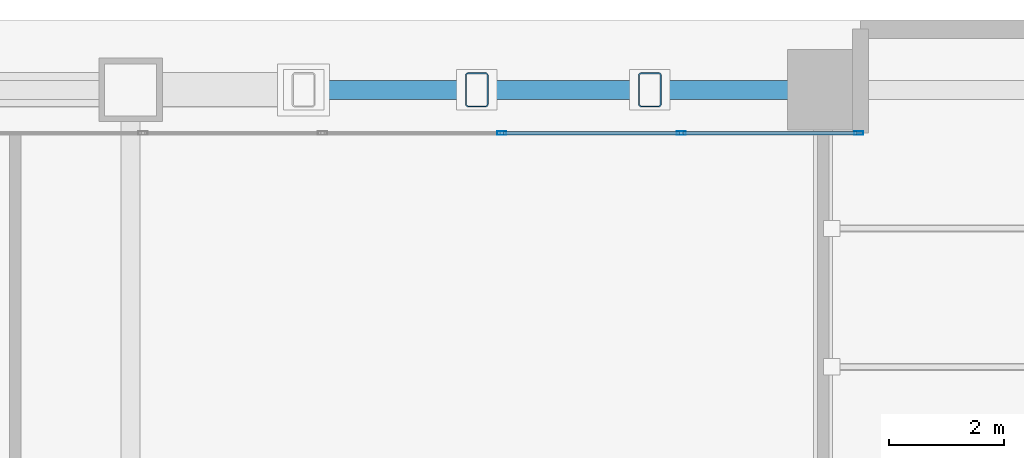
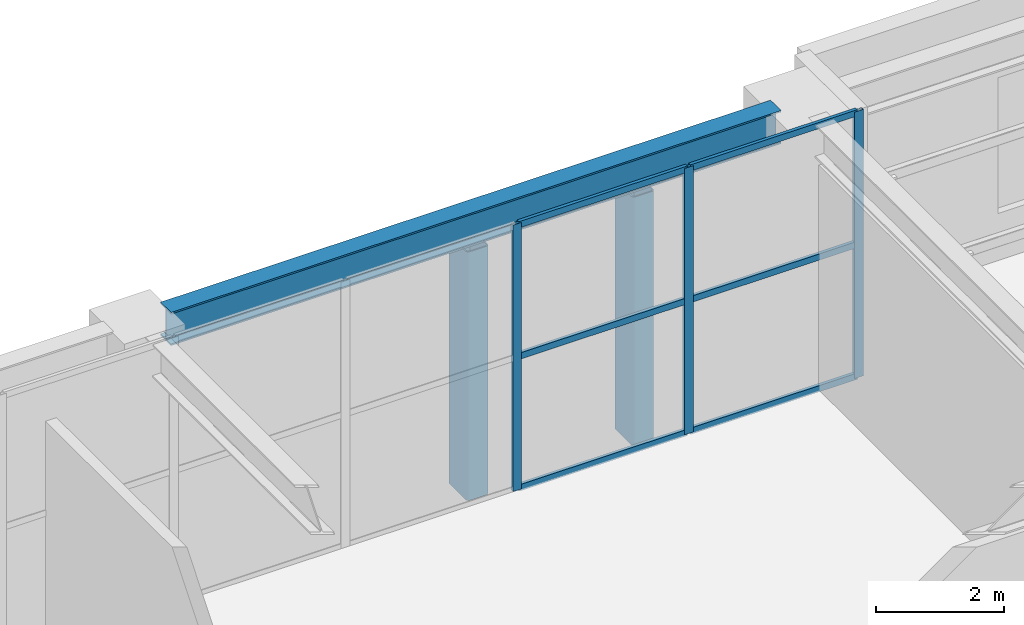
# One storey, part 19 of 32: 11 members, 1 beam, 1 element without a shape of its own.
"""IFC4 building model written with IfcOpenShell, lengths in metres."""

from ifc_helpers import new_model, si_unit, direction, frame, origin, origin_2d, place, context, subcontext, project, spatial, hollow_rectangle, i_section, extrude, material, layer, layer_set, material_profile, profile_set, type_object, element, aggregate, save


model = new_model("IFC4")

# Units and contexts
model_context = context("Model", 3, precision=1e-05, world=origin(), true_north=direction((0.0, 1.0)))
body_context = subcontext(model_context, "Body", "Model", "MODEL_VIEW")
ifc_project = project(units=[si_unit("LENGTHUNIT", "METRE"), si_unit("AREAUNIT", "SQUARE_METRE"), si_unit("VOLUMEUNIT", "CUBIC_METRE"), si_unit("PLANEANGLEUNIT", "RADIAN"), si_unit("MASSUNIT", "GRAM", prefix="KILO")], contexts=[model_context])

# Site, building, storey
site_placement = place(None, origin())
site = spatial("IfcSite", under=ifc_project, at=site_placement, CompositionType="ELEMENT")
building_placement = place(site_placement, origin())
building = spatial("IfcBuilding", under=site, at=building_placement, Name="Sarneth Arch Tower", CompositionType="ELEMENT")
storey_placement = place(building_placement, frame((0.0, 0.0, 11.39990234375)))
storey = spatial("IfcBuildingStorey", under=building, at=storey_placement, Name="L02", CompositionType="ELEMENT", Elevation=11.39990234375)

# Beam
ifc_material_1 = material(Name="Steel S355", Category="steel")
ifc_material_profile_1 = material_profile(ifc_material_1, i_section(OverallWidth=0.3291015625, OverallDepth=0.635009765625, WebThickness=0.017822265625, FlangeThickness=0.031005859375, FilletRadius=0.01904296875, at=origin_2d()), Name="W610x241")
ifc_profile_set_1 = profile_set([ifc_material_profile_1], Name="Steel S355")
beam_type = type_object("IfcBeamType", Name="BM-POD-610", PredefinedType="BEAM", material=ifc_profile_set_1)
beam_placement = place(storey_placement, frame((54.52001953125, 74.800048828125, 4.78271484375), z_axis=(1.0, 0.0, 0.0), x_axis=(0.0, 1.0, 0.0)))
element("IfcBeam", 1, at=beam_placement, inside=storey, type_object=beam_type, Name="L02 Podium PN girder 6", PredefinedType="BEAM", context=body_context, shape_type="SweptSolid", body=[
    extrude(i_section(OverallWidth=0.3291015625, OverallDepth=0.635009765625, WebThickness=0.017822265625, FlangeThickness=0.031005859375, FilletRadius=0.01904296875, at=origin_2d()), origin(), (0.0, 0.0, 1.0), 11.04443359375),
])

# Curtain wall, members
ifc_material_2 = material(Name="Anodised aluminium Type AA25 and solar-control low-e laminated IGU", Category="aluminium")
ifc_layer = layer(ifc_material_2, 0.199951171875)
ifc_layer_set = layer_set([ifc_layer], Name="Anodised aluminium Type AA25 and solar-control low-e laminated IGU")
curtain_wall_type = type_object("IfcCurtainWallType", Name="CW-ARCH-GLAZE", PredefinedType="NOTDEFINED", material=ifc_layer_set)
curtain_wall_placement = place(storey_placement, origin())
curtain_wall = element("IfcCurtainWall", 2, at=curtain_wall_placement, inside=storey, type_object=curtain_wall_type, Name="L02 North parabolic arch portal curtain wall", PredefinedType="NOTDEFINED")
ifc_material_3 = material(Name="Anodised Aluminium 6063-T6", Category="aluminium")
ifc_material_profile_2 = material_profile(ifc_material_3, hollow_rectangle(XDim=0.06005859375, YDim=0.159912109375, WallThickness=0.00390625, at=origin_2d()), Name="AL-MULL-160x60x4")
ifc_profile_set_2 = profile_set([ifc_material_profile_2], Name="Anodised Aluminium 6063-T6")
member_type_1 = type_object("IfcMemberType", Name="CW-MULLION", PredefinedType="MULLION", material=ifc_profile_set_2)
member_1_placement = place(storey_placement, frame((66.6201171875, 74.050048828125, 0.0), z_axis=(0.0, 0.0, 1.0), x_axis=(0.0, -1.0, 0.0)))
member_1 = element("IfcMember", 3, at=member_1_placement, type_object=member_type_1, Name="CW-SYS-2 mullion 1", PredefinedType="MULLION", context=body_context, shape_type="SweptSolid", body=[
    extrude(hollow_rectangle(XDim=0.06005859375, YDim=0.159912109375, WallThickness=0.00390625, at=origin_2d()), origin(), (0.0, 0.0, 1.0), 5.10009765625),
])
member_2_placement = place(storey_placement, frame((63.541748046875, 74.050048828125, 0.0), z_axis=(0.0, 0.0, 1.0), x_axis=(0.0, -1.0, 0.0)))
member_2 = element("IfcMember", 4, at=member_2_placement, type_object=member_type_1, Name="CW-SYS-2 mullion 2", PredefinedType="MULLION", context=body_context, shape_type="SweptSolid", body=[
    extrude(hollow_rectangle(XDim=0.06005859375, YDim=0.159912109375, WallThickness=0.00390625, at=origin_2d()), origin(), (0.0, 0.0, 1.0), 5.10009765625),
])
member_3_placement = place(storey_placement, frame((60.433349609375, 74.050048828125, 0.0), z_axis=(0.0, 0.0, 1.0), x_axis=(0.0, -1.0, 0.0)))
member_3 = element("IfcMember", 5, at=member_3_placement, type_object=member_type_1, Name="CW-SYS-2 mullion 3", PredefinedType="MULLION", context=body_context, shape_type="SweptSolid", body=[
    extrude(hollow_rectangle(XDim=0.06005859375, YDim=0.159912109375, WallThickness=0.00390625, at=origin_2d()), origin(), (0.0, 0.0, 1.0), 5.10009765625),
])
ifc_material_4 = material(Name="Anodised Aluminium 6063-T6", Category="aluminium")
ifc_material_profile_3 = material_profile(ifc_material_4, hollow_rectangle(XDim=0.06005859375, YDim=0.1201171875, WallThickness=0.00390625, at=origin_2d()), Name="AL-TRAN-120x60x4")
ifc_profile_set_3 = profile_set([ifc_material_profile_3], Name="Anodised Aluminium 6063-T6")
member_type_2 = type_object("IfcMemberType", Name="CW-TRANSOM", PredefinedType="USERDEFINED", material=ifc_profile_set_3)
member_4_placement = place(storey_placement, frame((66.590087890625, 74.050048828125, 0.030029296875), z_axis=(-1.0, 0.0, 0.0), x_axis=(0.0, -1.0, 0.0)))
member_4 = element("IfcMember", 6, at=member_4_placement, type_object=member_type_2, Name="CW-SYS-2 transom 1.1", ObjectType="TRANSOM", PredefinedType="USERDEFINED", context=body_context, shape_type="SweptSolid", body=[
    extrude(hollow_rectangle(XDim=0.06005859375, YDim=0.1201171875, WallThickness=0.00390625, at=origin_2d()), origin(), (0.0, 0.0, 1.0), 3.018310546875),
])
member_5_placement = place(storey_placement, frame((66.590087890625, 74.050048828125, 2.550048828125), z_axis=(-1.0, 0.0, 0.0), x_axis=(0.0, -1.0, 0.0)))
member_5 = element("IfcMember", 7, at=member_5_placement, type_object=member_type_2, Name="CW-SYS-2 transom 1.2", ObjectType="TRANSOM", PredefinedType="USERDEFINED", context=body_context, shape_type="SweptSolid", body=[
    extrude(hollow_rectangle(XDim=0.06005859375, YDim=0.1201171875, WallThickness=0.00390625, at=origin_2d()), origin(), (0.0, 0.0, 1.0), 3.018310546875),
])
member_6_placement = place(storey_placement, frame((66.590087890625, 74.050048828125, 5.070068359375), z_axis=(-1.0, 0.0, 0.0), x_axis=(0.0, -1.0, 0.0)))
member_6 = element("IfcMember", 8, at=member_6_placement, type_object=member_type_2, Name="CW-SYS-2 transom 1.3", ObjectType="TRANSOM", PredefinedType="USERDEFINED", context=body_context, shape_type="SweptSolid", body=[
    extrude(hollow_rectangle(XDim=0.06005859375, YDim=0.1201171875, WallThickness=0.00390625, at=origin_2d()), origin(), (0.0, 0.0, 1.0), 3.018310546875),
])
member_7_placement = place(storey_placement, frame((63.51171875, 74.050048828125, 0.030029296875), z_axis=(-1.0, 0.0, 0.0), x_axis=(0.0, -1.0, 0.0)))
member_7 = element("IfcMember", 9, at=member_7_placement, type_object=member_type_2, Name="CW-SYS-2 transom 2.1", ObjectType="TRANSOM", PredefinedType="USERDEFINED", context=body_context, shape_type="SweptSolid", body=[
    extrude(hollow_rectangle(XDim=0.06005859375, YDim=0.1201171875, WallThickness=0.00390625, at=origin_2d()), origin(), (0.0, 0.0, 1.0), 3.04833984375),
])
member_8_placement = place(storey_placement, frame((63.51171875, 74.050048828125, 2.550048828125), z_axis=(-1.0, 0.0, 0.0), x_axis=(0.0, -1.0, 0.0)))
member_8 = element("IfcMember", 10, at=member_8_placement, type_object=member_type_2, Name="CW-SYS-2 transom 2.2", ObjectType="TRANSOM", PredefinedType="USERDEFINED", context=body_context, shape_type="SweptSolid", body=[
    extrude(hollow_rectangle(XDim=0.06005859375, YDim=0.1201171875, WallThickness=0.00390625, at=origin_2d()), origin(), (0.0, 0.0, 1.0), 3.04833984375),
])
member_9_placement = place(storey_placement, frame((63.51171875, 74.050048828125, 5.070068359375), z_axis=(-1.0, 0.0, 0.0), x_axis=(0.0, -1.0, 0.0)))
member_9 = element("IfcMember", 11, at=member_9_placement, type_object=member_type_2, Name="CW-SYS-2 transom 2.3", ObjectType="TRANSOM", PredefinedType="USERDEFINED", context=body_context, shape_type="SweptSolid", body=[
    extrude(hollow_rectangle(XDim=0.06005859375, YDim=0.1201171875, WallThickness=0.00390625, at=origin_2d()), origin(), (0.0, 0.0, 1.0), 3.04833984375),
])
aggregate(curtain_wall, [member_1, member_2, member_3, member_4, member_5, member_6, member_7, member_8, member_9])

# Members
ifc_material_5 = material(Name="Steel S355", Category="steel")
ifc_material_profile_4 = material_profile(ifc_material_5, hollow_rectangle(XDim=0.39990234375, YDim=0.60009765625, WallThickness=0.02197265625, InnerFilletRadius=0.032958984375, OuterFilletRadius=0.054931640625, at=origin_2d()), Name="RHS600x400x22")
ifc_profile_set_4 = profile_set([ifc_material_profile_4], Name="Steel S355")
member_type_3 = type_object("IfcMemberType", Name="MEM-ARCH-WEB", PredefinedType="BRACE", material=ifc_profile_set_4)
for number, where, z_axis, x_axis, name in (
    (12, (60.0, 74.800048828125, -0.27978515625), (0.0, 0.0, 1.0), (1.0, 0.0, 0.0), "Podium arch spandrel post 6.10B"),
    (13, (63.0, 74.800048828125, -0.27978515625), (0.0, 0.0, 1.0), (1.0, 0.0, 0.0), "Podium arch spandrel post 6.11B"),
):
    element("IfcMember", number, at=place(storey_placement, frame(where, z_axis=z_axis, x_axis=x_axis)), inside=storey, type_object=member_type_3, Name=name, PredefinedType="BRACE", context=body_context, shape_type="SweptSolid", body=[
        extrude(hollow_rectangle(XDim=0.39990234375, YDim=0.60009765625, WallThickness=0.02197265625, InnerFilletRadius=0.032958984375, OuterFilletRadius=0.054931640625, at=origin_2d()), origin(), (0.0, 0.0, 1.0), 4.759765625),
    ])

save(model, "model.ifc")
